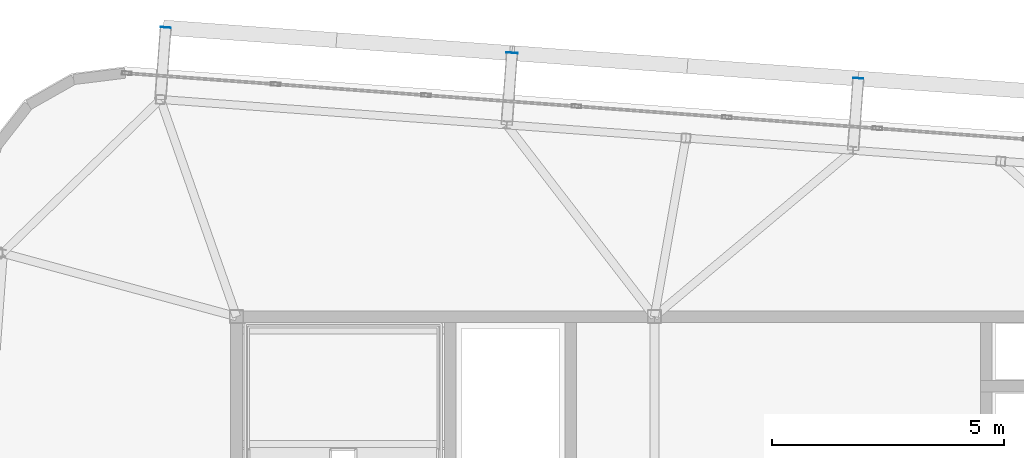
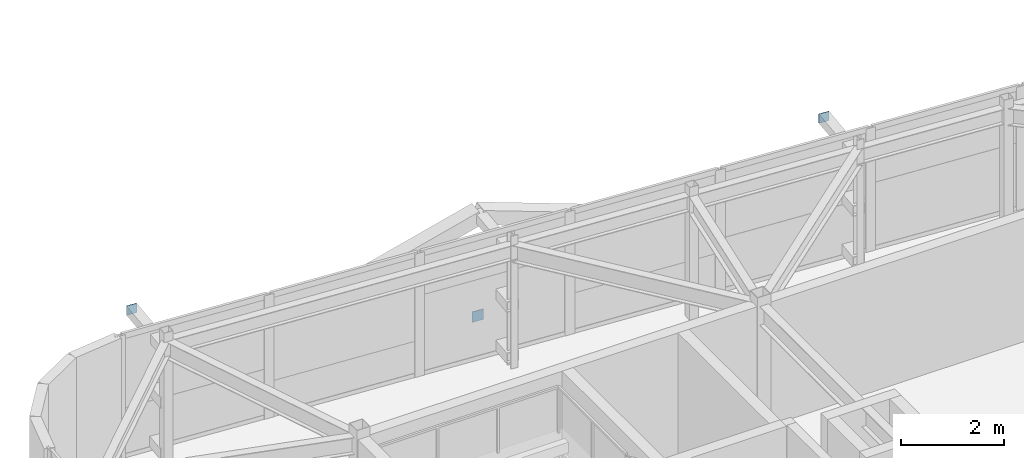
# One storey, part 36 of 42: 3 plates.
"""IFC4 building model written with IfcOpenShell, lengths in metres."""

from ifc_helpers import new_model, si_unit, direction, frame, origin, origin_2d, place, context, subcontext, project, spatial, rectangle, extrude, source, transform, mapped, material, layer, layer_set, type_object, element, save


model = new_model("IFC4")

# Units and contexts
model_context = context("Model", 3, precision=1e-05, world=origin(), true_north=direction((0.0, 1.0)))
body_context = subcontext(model_context, "Body", "Model", "MODEL_VIEW")
ifc_project = project(units=[si_unit("LENGTHUNIT", "METRE"), si_unit("AREAUNIT", "SQUARE_METRE"), si_unit("VOLUMEUNIT", "CUBIC_METRE"), si_unit("PLANEANGLEUNIT", "RADIAN"), si_unit("MASSUNIT", "GRAM", prefix="KILO")], contexts=[model_context])

# Site, building, storey
site_placement = place(None, origin())
site = spatial("IfcSite", under=ifc_project, at=site_placement, CompositionType="ELEMENT")
building_placement = place(site_placement, origin())
building = spatial("IfcBuilding", under=site, at=building_placement, Name="Taldren Reach Tower", CompositionType="ELEMENT")
storey_placement = place(building_placement, frame((0.0, 0.0, 224.0)))
storey = spatial("IfcBuildingStorey", under=building, at=storey_placement, Name="L68", CompositionType="ELEMENT", Elevation=224.0)

# Plates
ifc_material_1 = material(Name="Steel Gr 350 (C350L0)", Category="steel")
ifc_layer_1 = layer(ifc_material_1, 0.011962890625)
ifc_layer_set_1 = layer_set([ifc_layer_1], Name="Steel Gr 350 (C350L0)")
plate_type_1 = type_object("IfcPlateType", Name="PL-CAP-250", PredefinedType="SHEET", material=ifc_layer_set_1)
shared_shape_1 = source(origin(), body_context, "Body", "SweptSolid", [
    extrude(rectangle(XDim=0.25, YDim=0.011962890625, at=origin_2d()), origin(), (0.0, 0.0, 1.0), 0.25),
])
plate_placement = place(storey_placement, frame((24.93359375, 37.682861328125, 0.094970703125), z_axis=(0.0, 0.0, 1.0), x_axis=(0.997314477224, -0.073238197128, 0.0)))
element("IfcPlate", 1, at=plate_placement, inside=storey, type_object=plate_type_1, Name="Tie strut end cap plate B5-N2 L68", PredefinedType="SHEET", context=body_context, shape_type="MappedRepresentation", body=[
    mapped(shared_shape_1, transform((0.0, 0.0, 0.0), scale=1.0)),
])
ifc_material_2 = material(Name="Steel Gr 450 (C450L0)", Category="steel")
ifc_layer_2 = layer(ifc_material_2, 0.011962890625)
ifc_layer_set_2 = layer_set([ifc_layer_2], Name="Steel Gr 450 (C450L0)")
plate_type_2 = type_object("IfcPlateType", Name="PL-CAP-220", PredefinedType="SHEET", material=ifc_layer_set_2)
shared_shape_2 = source(origin(), body_context, "Body", "SweptSolid", [
    extrude(rectangle(XDim=0.219970703125, YDim=0.011962890625, at=origin_2d()), origin(), (0.0, 0.0, 1.0), 0.219970703125),
])
for number, where, z_axis, x_axis, name in (
    (2, (17.4736328125, 38.230712890625, 2.5400390625), (0.0, 0.0, 1.0), (0.997314477224, -0.073238197128, 0.0), "Tie strut end cap plate B5-N1 L68"),
    (3, (32.3935546875, 37.135009765625, 2.5400390625), (0.0, 0.0, 1.0), (0.997314477224, -0.073238197128, 0.0), "Tie strut end cap plate B5-N3 L68"),
):
    element("IfcPlate", number, at=place(storey_placement, frame(where, z_axis=z_axis, x_axis=x_axis)), inside=storey, type_object=plate_type_2, Name=name, PredefinedType="SHEET", context=body_context, shape_type="MappedRepresentation", body=[
        mapped(shared_shape_2, transform((0.0, 0.0, 0.0), scale=1.0)),
    ])

save(model, "model.ifc")
